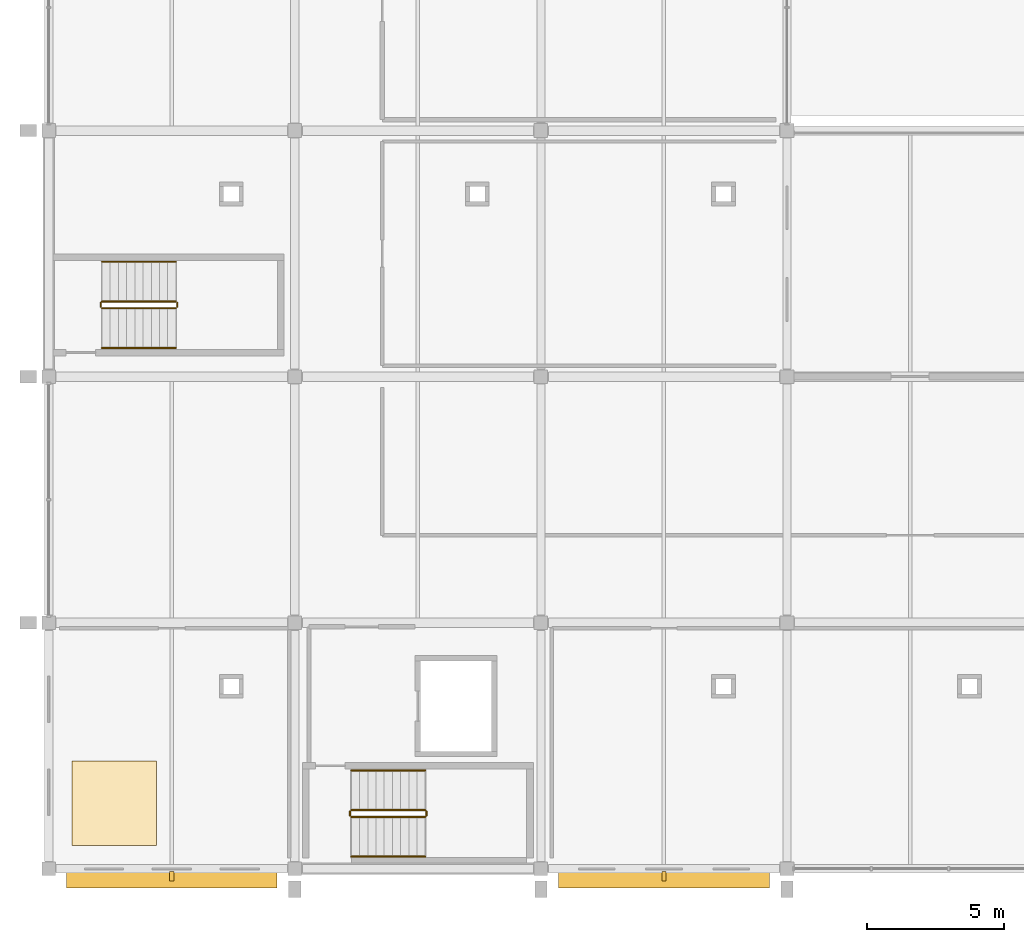
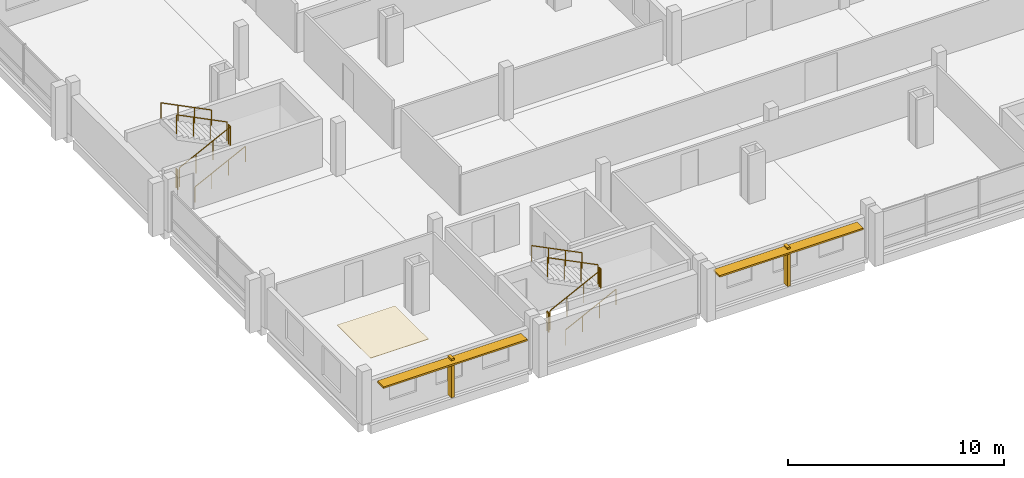
# One storey, part 23 of 25: 12 railings, 4 shading devices, 1 covering.
"""IFC4 building model written with IfcOpenShell, lengths in metres."""

from ifc_helpers import new_model, si_unit, direction, frame, origin, origin_2d, place, context, subcontext, project, spatial, polyline, rectangle, circle, outline, extrude, material, layer, layer_set, type_object, element, save


model = new_model("IFC4")

# Units and contexts
model_context = context("Model", 3, precision=1e-05, world=origin(), true_north=direction((0.0, 1.0)))
body_context = subcontext(model_context, "Body", "Model", "MODEL_VIEW")
ifc_project = project(units=[si_unit("LENGTHUNIT", "METRE"), si_unit("AREAUNIT", "SQUARE_METRE"), si_unit("VOLUMEUNIT", "CUBIC_METRE"), si_unit("PLANEANGLEUNIT", "RADIAN"), si_unit("MASSUNIT", "GRAM", prefix="KILO")], contexts=[model_context])

# Site, building, storey
site_placement = place(None, origin())
site = spatial("IfcSite", under=ifc_project, at=site_placement, CompositionType="ELEMENT")
building_placement = place(site_placement, origin())
building = spatial("IfcBuilding", under=site, at=building_placement, Name="Tharagai Park Tramway Depot", CompositionType="ELEMENT")
storey_placement = place(building_placement, frame((0.0, 0.0, 12.0)))
storey = spatial("IfcBuildingStorey", under=building, at=storey_placement, Name="L03", CompositionType="ELEMENT", Elevation=12.0)

# Covering
ifc_material_1 = material(Name="Acoustic mineral-fibre tile", Category="gypsum")
ifc_layer_1 = layer(ifc_material_1, 0.02490234375)
ifc_layer_set_1 = layer_set([ifc_layer_1], Name="Acoustic mineral-fibre tile")
covering_type = type_object("IfcCoveringType", Name="FN-02", PredefinedType="CEILING", material=ifc_layer_set_1)
covering_placement = place(storey_placement, frame((0.0, 0.0, 2.72705078125)))
element("IfcCovering", 1, at=covering_placement, inside=storey, type_object=covering_type, Name="Crew Quiet Recreation Lounge Acoustic Ceiling", PredefinedType="CEILING", context=body_context, shape_type="SweptSolid", body=[
    extrude(outline(polyline([(0.85009765625, 0.85009765625), (3.949951171875, 0.85009765625), (3.949951171875, 3.949951171875), (0.85009765625, 3.949951171875), (0.85009765625, 0.85009765625)])), origin(), (0.0, 0.0, 1.0), 0.02490234375),
])

# Railings
ifc_material_2 = material(Name="Galvanised steel", Category="steel")
railing_type_1 = type_object("IfcRailingType", Name="HR-02", PredefinedType="GUARDRAIL", material=ifc_material_2)
railing_1_placement = place(storey_placement, frame((11.070068359375, 1.89990234375, 0.14990234375)))
element("IfcRailing", 2, at=railing_1_placement, inside=storey, type_object=railing_type_1, Name="L03 ST-01 stair guard 1", PredefinedType="GUARDRAIL", context=body_context, shape_type="SweptSolid", body=[
    extrude(circle(Radius=0.02392578125, at=origin_2d()), frame((0.0, 0.0, 1.076171875), z_axis=(0.894411015155, 0.0, 0.447245945728), x_axis=(0.0, 1.0, 0.0)), (0.0, 0.0, 1.0), 3.018798828125),
    extrude(circle(Radius=0.02099609375, at=origin_2d()), origin(), (0.0, 0.0, 1.0), 1.052001953125),
    extrude(circle(Radius=0.02099609375, at=origin_2d()), frame((0.89990234375, 0.0, 0.449951171875)), (0.0, 0.0, 1.0), 1.052001953125),
    extrude(circle(Radius=0.02099609375, at=origin_2d()), frame((1.800048828125, 0.0, 0.900146484375)), (0.0, 0.0, 1.0), 1.052001953125),
    extrude(circle(Radius=0.02099609375, at=origin_2d()), frame((2.699951171875, 0.0, 1.35009765625)), (0.0, 0.0, 1.0), 1.052001953125),
])
railing_2_placement = place(storey_placement, frame((13.820068359375, 1.949951171875, 1.5)))
element("IfcRailing", 3, at=railing_2_placement, inside=storey, type_object=railing_type_1, Name="L03 ST-01 stair guard 2", PredefinedType="GUARDRAIL", context=body_context, shape_type="SweptSolid", body=[
    extrude(circle(Radius=0.02392578125, at=origin_2d()), frame((0.0, 0.0, 1.076171875), z_axis=(0.0, 1.0, 0.0), x_axis=(-1.0, 0.0, 0.0)), (0.0, 0.0, 1.0), 0.150146484375),
    extrude(circle(Radius=0.02099609375, at=origin_2d()), origin(), (0.0, 0.0, 1.0), 1.052001953125),
    extrude(circle(Radius=0.02099609375, at=origin_2d()), frame((0.0, 0.150146484375, 0.0)), (0.0, 0.0, 1.0), 1.052001953125),
])
railing_3_placement = place(storey_placement, frame((13.77001953125, 2.14990234375, 1.64990234375)))
element("IfcRailing", 4, at=railing_3_placement, inside=storey, type_object=railing_type_1, Name="L03 ST-01 stair guard 3", PredefinedType="GUARDRAIL", context=body_context, shape_type="SweptSolid", body=[
    extrude(circle(Radius=0.02392578125, at=origin_2d()), frame((0.0, 0.0, 1.076171875), z_axis=(-0.894411015155, 0.0, 0.447245945728), x_axis=(0.0, -1.0, 0.0)), (0.0, 0.0, 1.0), 3.018798828125),
    extrude(circle(Radius=0.02099609375, at=origin_2d()), origin(), (0.0, 0.0, 1.0), 1.052001953125),
    extrude(circle(Radius=0.02099609375, at=origin_2d()), frame((-0.89990234375, 0.0, 0.449951171875)), (0.0, 0.0, 1.0), 1.052001953125),
    extrude(circle(Radius=0.02099609375, at=origin_2d()), frame((-1.800048828125, 0.0, 0.900146484375)), (0.0, 0.0, 1.0), 1.052001953125),
    extrude(circle(Radius=0.02099609375, at=origin_2d()), frame((-2.699951171875, 0.0, 1.35009765625)), (0.0, 0.0, 1.0), 1.052001953125),
])
railing_4_placement = place(storey_placement, frame((11.02001953125, 1.949951171875, 0.0)))
element("IfcRailing", 5, at=railing_4_placement, inside=storey, type_object=railing_type_1, Name="L03 ST-01 stair guard 4", PredefinedType="GUARDRAIL", context=body_context, shape_type="SweptSolid", body=[
    extrude(circle(Radius=0.02392578125, at=origin_2d()), frame((0.0, 0.0, 1.076171875), z_axis=(0.0, 1.0, 0.0), x_axis=(-1.0, 0.0, 0.0)), (0.0, 0.0, 1.0), 0.150146484375),
    extrude(circle(Radius=0.02099609375, at=origin_2d()), origin(), (0.0, 0.0, 1.0), 1.052001953125),
    extrude(circle(Radius=0.02099609375, at=origin_2d()), frame((0.0, 0.150146484375, 0.0)), (0.0, 0.0, 1.0), 1.052001953125),
])
railing_5_placement = place(storey_placement, frame((1.949951171875, 20.5, 0.14990234375)))
element("IfcRailing", 6, at=railing_5_placement, inside=storey, type_object=railing_type_1, Name="L03 ST-03 stair guard 1", PredefinedType="GUARDRAIL", context=body_context, shape_type="SweptSolid", body=[
    extrude(circle(Radius=0.02392578125, at=origin_2d()), frame((0.0, 0.0, 1.076171875), z_axis=(0.894411015155, 0.0, 0.447245945728), x_axis=(0.0, 1.0, 0.0)), (0.0, 0.0, 1.0), 3.018798828125),
    extrude(circle(Radius=0.02099609375, at=origin_2d()), origin(), (0.0, 0.0, 1.0), 1.052001953125),
    extrude(circle(Radius=0.02099609375, at=origin_2d()), frame((0.89990234375, 0.0, 0.449951171875)), (0.0, 0.0, 1.0), 1.052001953125),
    extrude(circle(Radius=0.02099609375, at=origin_2d()), frame((1.800048828125, 0.0, 0.900146484375)), (0.0, 0.0, 1.0), 1.052001953125),
    extrude(circle(Radius=0.02099609375, at=origin_2d()), frame((2.699951171875, 0.0, 1.35009765625)), (0.0, 0.0, 1.0), 1.052001953125),
])
railing_6_placement = place(storey_placement, frame((4.699951171875, 20.550048828125, 1.5)))
element("IfcRailing", 7, at=railing_6_placement, inside=storey, type_object=railing_type_1, Name="L03 ST-03 stair guard 2", PredefinedType="GUARDRAIL", context=body_context, shape_type="SweptSolid", body=[
    extrude(circle(Radius=0.02392578125, at=origin_2d()), frame((0.0, 0.0, 1.076171875), z_axis=(0.0, 1.0, 0.0), x_axis=(-1.0, 0.0, 0.0)), (0.0, 0.0, 1.0), 0.14990234375),
    extrude(circle(Radius=0.02099609375, at=origin_2d()), origin(), (0.0, 0.0, 1.0), 1.052001953125),
    extrude(circle(Radius=0.02099609375, at=origin_2d()), frame((0.0, 0.14990234375, 0.0)), (0.0, 0.0, 1.0), 1.052001953125),
])
railing_7_placement = place(storey_placement, frame((4.64990234375, 20.75, 1.64990234375)))
element("IfcRailing", 8, at=railing_7_placement, inside=storey, type_object=railing_type_1, Name="L03 ST-03 stair guard 3", PredefinedType="GUARDRAIL", context=body_context, shape_type="SweptSolid", body=[
    extrude(circle(Radius=0.02392578125, at=origin_2d()), frame((0.0, 0.0, 1.076171875), z_axis=(-0.894411015155, 0.0, 0.447245945728), x_axis=(0.0, -1.0, 0.0)), (0.0, 0.0, 1.0), 3.018798828125),
    extrude(circle(Radius=0.02099609375, at=origin_2d()), origin(), (0.0, 0.0, 1.0), 1.052001953125),
    extrude(circle(Radius=0.02099609375, at=origin_2d()), frame((-0.89990234375, 0.0, 0.449951171875)), (0.0, 0.0, 1.0), 1.052001953125),
    extrude(circle(Radius=0.02099609375, at=origin_2d()), frame((-1.800048828125, 0.0, 0.900146484375)), (0.0, 0.0, 1.0), 1.052001953125),
    extrude(circle(Radius=0.02099609375, at=origin_2d()), frame((-2.699951171875, 0.0, 1.35009765625)), (0.0, 0.0, 1.0), 1.052001953125),
])
railing_8_placement = place(storey_placement, frame((1.89990234375, 20.550048828125, 0.0)))
element("IfcRailing", 9, at=railing_8_placement, inside=storey, type_object=railing_type_1, Name="L03 ST-03 stair guard 4", PredefinedType="GUARDRAIL", context=body_context, shape_type="SweptSolid", body=[
    extrude(circle(Radius=0.02392578125, at=origin_2d()), frame((0.0, 0.0, 1.076171875), z_axis=(0.0, 1.0, 0.0), x_axis=(-1.0, 0.0, 0.0)), (0.0, 0.0, 1.0), 0.14990234375),
    extrude(circle(Radius=0.02099609375, at=origin_2d()), origin(), (0.0, 0.0, 1.0), 1.052001953125),
    extrude(circle(Radius=0.02099609375, at=origin_2d()), frame((0.0, 0.14990234375, 0.0)), (0.0, 0.0, 1.0), 1.052001953125),
])
railing_type_2 = type_object("IfcRailingType", Name="HR-03", PredefinedType="HANDRAIL", material=ifc_material_2)
railing_9_placement = place(storey_placement, frame((11.070068359375, 0.449951171875, 0.14990234375)))
element("IfcRailing", 10, at=railing_9_placement, inside=storey, type_object=railing_type_2, Name="L03 ST-01 stair handrail 1", PredefinedType="HANDRAIL", context=body_context, shape_type="SweptSolid", body=[
    extrude(circle(Radius=0.02392578125, at=origin_2d()), frame((0.0, 0.0, 0.8759765625), z_axis=(0.894411015155, 0.0, 0.447245945728), x_axis=(0.0, 1.0, 0.0)), (0.0, 0.0, 1.0), 3.018798828125),
    extrude(circle(Radius=0.02099609375, at=origin_2d()), origin(), (0.0, 0.0, 1.0), 0.851806640625),
    extrude(circle(Radius=0.02099609375, at=origin_2d()), frame((0.89990234375, 0.0, 0.449951171875)), (0.0, 0.0, 1.0), 0.851806640625),
    extrude(circle(Radius=0.02099609375, at=origin_2d()), frame((1.800048828125, 0.0, 0.900146484375)), (0.0, 0.0, 1.0), 0.851806640625),
    extrude(circle(Radius=0.02099609375, at=origin_2d()), frame((2.699951171875, 0.0, 1.35009765625)), (0.0, 0.0, 1.0), 0.851806640625),
])
railing_10_placement = place(storey_placement, frame((13.77001953125, 3.60009765625, 1.64990234375)))
element("IfcRailing", 11, at=railing_10_placement, inside=storey, type_object=railing_type_2, Name="L03 ST-01 stair handrail 2", PredefinedType="HANDRAIL", context=body_context, shape_type="SweptSolid", body=[
    extrude(circle(Radius=0.02392578125, at=origin_2d()), frame((0.0, 0.0, 0.8759765625), z_axis=(-0.894411015155, 0.0, 0.447245945728), x_axis=(0.0, -1.0, 0.0)), (0.0, 0.0, 1.0), 3.018798828125),
    extrude(circle(Radius=0.02099609375, at=origin_2d()), origin(), (0.0, 0.0, 1.0), 0.851806640625),
    extrude(circle(Radius=0.02099609375, at=origin_2d()), frame((-0.89990234375, 0.0, 0.449951171875)), (0.0, 0.0, 1.0), 0.851806640625),
    extrude(circle(Radius=0.02099609375, at=origin_2d()), frame((-1.800048828125, 0.0, 0.900146484375)), (0.0, 0.0, 1.0), 0.851806640625),
    extrude(circle(Radius=0.02099609375, at=origin_2d()), frame((-2.699951171875, 0.0, 1.35009765625)), (0.0, 0.0, 1.0), 0.851806640625),
])
railing_11_placement = place(storey_placement, frame((1.949951171875, 19.050048828125, 0.14990234375)))
element("IfcRailing", 12, at=railing_11_placement, inside=storey, type_object=railing_type_2, Name="L03 ST-03 stair handrail 1", PredefinedType="HANDRAIL", context=body_context, shape_type="SweptSolid", body=[
    extrude(circle(Radius=0.02392578125, at=origin_2d()), frame((0.0, 0.0, 0.8759765625), z_axis=(0.894411015155, 0.0, 0.447245945728), x_axis=(0.0, 1.0, 0.0)), (0.0, 0.0, 1.0), 3.018798828125),
    extrude(circle(Radius=0.02099609375, at=origin_2d()), origin(), (0.0, 0.0, 1.0), 0.851806640625),
    extrude(circle(Radius=0.02099609375, at=origin_2d()), frame((0.89990234375, 0.0, 0.449951171875)), (0.0, 0.0, 1.0), 0.851806640625),
    extrude(circle(Radius=0.02099609375, at=origin_2d()), frame((1.800048828125, 0.0, 0.900146484375)), (0.0, 0.0, 1.0), 0.851806640625),
    extrude(circle(Radius=0.02099609375, at=origin_2d()), frame((2.699951171875, 0.0, 1.35009765625)), (0.0, 0.0, 1.0), 0.851806640625),
])
railing_12_placement = place(storey_placement, frame((4.64990234375, 22.199951171875, 1.64990234375)))
element("IfcRailing", 13, at=railing_12_placement, inside=storey, type_object=railing_type_2, Name="L03 ST-03 stair handrail 2", PredefinedType="HANDRAIL", context=body_context, shape_type="SweptSolid", body=[
    extrude(circle(Radius=0.02392578125, at=origin_2d()), frame((0.0, 0.0, 0.8759765625), z_axis=(-0.894411015155, 0.0, 0.447245945728), x_axis=(0.0, -1.0, 0.0)), (0.0, 0.0, 1.0), 3.018798828125),
    extrude(circle(Radius=0.02099609375, at=origin_2d()), origin(), (0.0, 0.0, 1.0), 0.851806640625),
    extrude(circle(Radius=0.02099609375, at=origin_2d()), frame((-0.89990234375, 0.0, 0.449951171875)), (0.0, 0.0, 1.0), 0.851806640625),
    extrude(circle(Radius=0.02099609375, at=origin_2d()), frame((-1.800048828125, 0.0, 0.900146484375)), (0.0, 0.0, 1.0), 0.851806640625),
    extrude(circle(Radius=0.02099609375, at=origin_2d()), frame((-2.699951171875, 0.0, 1.35009765625)), (0.0, 0.0, 1.0), 0.851806640625),
])

# Shading devices
ifc_material_3 = material(Name="Anodised aluminium", Category="aluminium")
ifc_layer_2 = layer(ifc_material_3, 0.090087890625)
ifc_layer_set_2 = layer_set([ifc_layer_2], Name="Anodised aluminium")
shading_device_type_1 = type_object("IfcShadingDeviceType", Name="SD-01", PredefinedType="SHUTTER", material=ifc_layer_set_2)
for number, where, z_axis, x_axis, name in (
    (14, (4.5, -0.409912109375, 2.037109375), (0.0, 0.0, 1.0), (1.0, 0.0, 0.0), "Monsoon Storm Louvre Hood SD-01 #69"),
    (15, (22.5, -0.409912109375, 2.037109375), (0.0, 0.0, 1.0), (1.0, 0.0, 0.0), "Monsoon Storm Louvre Hood SD-01 #70"),
):
    element("IfcShadingDevice", number, at=place(storey_placement, frame(where, z_axis=z_axis, x_axis=x_axis)), inside=storey, type_object=shading_device_type_1, Name=name, PredefinedType="SHUTTER", context=body_context, shape_type="SweptSolid", body=[
        extrude(rectangle(XDim=7.7041015625, YDim=0.580078125, at=origin_2d()), origin(), (0.0, 0.0, 1.0), 0.090087890625),
    ])
ifc_material_4 = material(Name="Charnockite stone", Category="masonry")
ifc_layer_3 = layer(ifc_material_4, 0.159912109375)
ifc_layer_set_3 = layer_set([ifc_layer_3], Name="Charnockite stone")
shading_device_type_2 = type_object("IfcShadingDeviceType", Name="SD-02", PredefinedType="JALOUSIE", material=ifc_layer_set_3)
for number, where, z_axis, x_axis, name in (
    (16, (4.5, -0.27001953125, 0.0302734375), (0.0, 0.0, 1.0), (1.0, 0.0, 0.0), "Charnockite Gothic Lancet Mullion Fin SD-02 #27"),
    (17, (22.5, -0.27001953125, 0.0302734375), (0.0, 0.0, 1.0), (1.0, 0.0, 0.0), "Charnockite Gothic Lancet Mullion Fin SD-02 #28"),
):
    element("IfcShadingDevice", number, at=place(storey_placement, frame(where, z_axis=z_axis, x_axis=x_axis)), inside=storey, type_object=shading_device_type_2, Name=name, PredefinedType="JALOUSIE", context=body_context, shape_type="SweptSolid", body=[
        extrude(rectangle(XDim=0.159912109375, YDim=0.360107421875, at=origin_2d()), origin(), (0.0, 0.0, 1.0), 2.201904296875),
    ])

save(model, "model.ifc")
